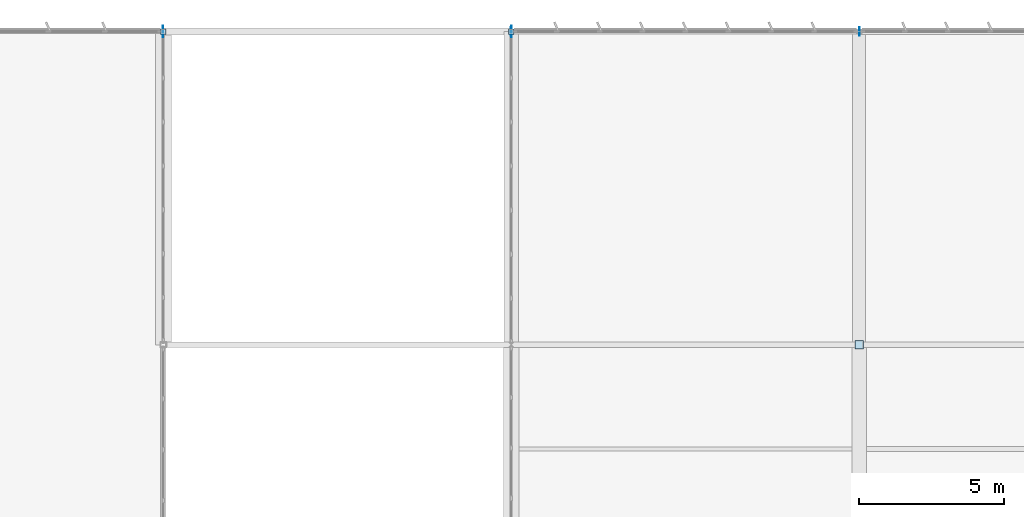
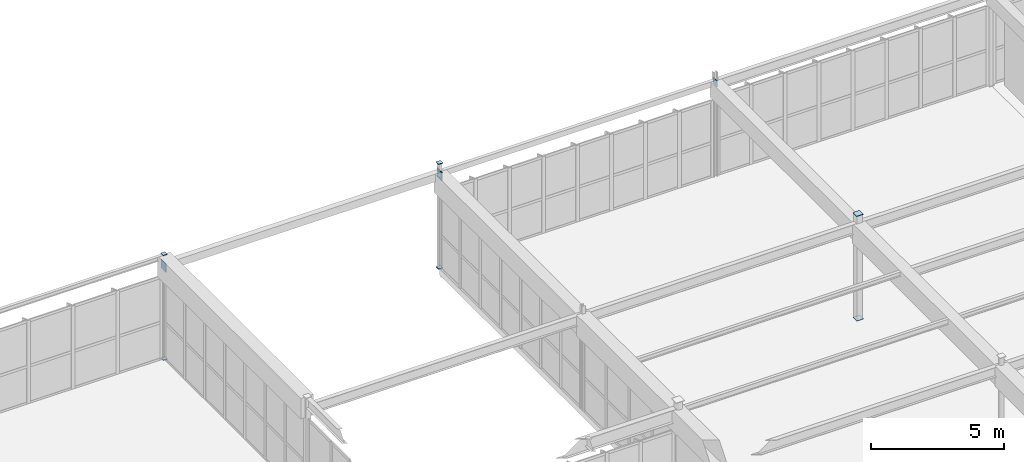
# One storey, part 151 of 186: 10 plates.
"""IFC4 building model written with IfcOpenShell, lengths in metres."""

import ifcopenshell
import ifcopenshell.guid

model = None  # the IFC model being written
_history = None  # IfcOwnerHistory: only IFC2X3 demands one
_inside = {}  # id of a spatial element -> (the spatial element, [elements in it])
_under = {}  # id of a project, library or spatial element -> (it, [spatial elements below it])
_declared = {}  # id of a project -> (the project, [libraries it declares])
_typed = {}  # id of a type object -> (the type object, [elements of that type])
_made_of = {}  # id of a material, layer set ... -> (it, [elements and type objects made of it])


def new_model(schema):
    """Start an empty IFC model of exactly this schema.

    Asked for "IFC4X3", IfcOpenShell would pick the latest addendum, in which some entities
    have other attributes; the version numbers below select the first issue.
    IFC2X3 requires an IfcOwnerHistory on every rooted entity: one is made here for all.
    """
    global model, _history
    if schema == "IFC4X3":
        model = ifcopenshell.file(schema_version=(4, 3, 0, 0))
    else:
        model = ifcopenshell.file(schema=schema)
    _inside.clear()
    _under.clear()
    _declared.clear()
    _typed.clear()
    _made_of.clear()
    _history = None
    if model.schema == "IFC2X3":
        org = make("IfcOrganization", Name="unknown")
        user = make(
            "IfcPersonAndOrganization",
            ThePerson=make("IfcPerson", FamilyName="unknown"),
            TheOrganization=org,
        )
        app = make(
            "IfcApplication",
            ApplicationDeveloper=org,
            Version="unknown",
            ApplicationFullName="unknown",
            ApplicationIdentifier="unknown",
        )
        _history = make(
            "IfcOwnerHistory",
            OwningUser=user,
            OwningApplication=app,
            ChangeAction="ADDED",
            CreationDate=0,
        )
    return model


def make(cls, **values):
    """One entity of the class cls with the attributes given. An attribute that is None is left unset."""
    return model.create_entity(
        cls, **{name: value for name, value in values.items() if value is not None}
    )


def rooted(cls, **values):
    """An entity with a GlobalId (a new one), such as an element, a storey or a relation."""
    return make(cls, GlobalId=ifcopenshell.guid.new(), OwnerHistory=_history, **values)


def si_unit(unit_type, name, prefix=None):
    """IfcSIUnit, for example si_unit("LENGTHUNIT", "METRE", prefix="MILLI")."""
    return make("IfcSIUnit", UnitType=unit_type, Prefix=prefix, Name=name)


def assignment(units):
    """IfcUnitAssignment: the units of a project."""
    return None if units is None else make("IfcUnitAssignment", Units=units)


def point(xyz):
    """IfcCartesianPoint."""
    return None if xyz is None else make("IfcCartesianPoint", Coordinates=xyz)


def direction(xyz):
    """IfcDirection."""
    return None if xyz is None else make("IfcDirection", DirectionRatios=xyz)


def frame(location, z_axis=None, x_axis=None):
    """IfcAxis2Placement3D, a coordinate frame: its origin and axes. An axis left out is left unset."""
    return make(
        "IfcAxis2Placement3D",
        Location=point(location),
        Axis=direction(z_axis),
        RefDirection=direction(x_axis),
    )


def frame_2d(location, x_axis=None):
    """IfcAxis2Placement2D, a coordinate frame in the plane: its origin and x axis."""
    return make(
        "IfcAxis2Placement2D", Location=point(location), RefDirection=direction(x_axis)
    )


def origin():
    """The frame at (0, 0, 0) with its axes left unset."""
    return frame((0.0, 0.0, 0.0))


def origin_2d():
    """The frame at (0, 0) in the plane with its x axis left unset."""
    return frame_2d((0.0, 0.0))


def place(relative_to, where):
    """IfcLocalPlacement: puts the frame where relative to a parent placement (None: the world)."""
    return make(
        "IfcLocalPlacement", PlacementRelTo=relative_to, RelativePlacement=where
    )


def context(
    kind, dimensions, precision=None, world=None, true_north=None, identifier=None
):
    """IfcGeometricRepresentationContext, for example the 3D "Model" context."""
    return make(
        "IfcGeometricRepresentationContext",
        ContextIdentifier=identifier,
        ContextType=kind,
        CoordinateSpaceDimension=dimensions,
        Precision=precision,
        WorldCoordinateSystem=world,
        TrueNorth=true_north,
    )


def subcontext(parent, identifier, kind, view, scale=None):
    """IfcGeometricRepresentationSubContext, for example "Body" below "Model"."""
    return make(
        "IfcGeometricRepresentationSubContext",
        ContextIdentifier=identifier,
        ContextType=kind,
        ParentContext=parent,
        TargetScale=scale,
        TargetView=view,
    )


def project(units=None, contexts=None):
    """IfcProject with its units and contexts."""
    return rooted(
        "IfcProject",
        Name="project",
        RepresentationContexts=contexts,
        UnitsInContext=assignment(units),
    )


def spatial(cls, under=None, at=None, **own):
    """A site, building, storey or space (cls), placed at a placement, below another one or the project."""
    s = rooted(cls, ObjectPlacement=at, **own)
    if under is not None:
        _under.setdefault(under.id(), (under, []))[1].append(s)
    return s


def profile(cls, at=None, kind="AREA", **sizes):
    """A parametric profile (cls). Its sizes go by their IFC names, for example OverallWidth=200.0."""
    return make(cls, ProfileType=kind, Position=at, **sizes)


def rectangle(**sizes):
    """IfcRectangleProfileDef."""
    return profile("IfcRectangleProfileDef", **sizes)


def extrude(swept, where, along, depth):
    """IfcExtrudedAreaSolid: the profile swept, set in the frame where, extruded along a direction by depth."""
    return make(
        "IfcExtrudedAreaSolid",
        SweptArea=swept,
        Position=where,
        ExtrudedDirection=direction(along),
        Depth=depth,
    )


def shape(context_of_items, identifier, shape_type, items):
    """IfcShapeRepresentation: the items that make up one representation, for example the "Body"."""
    return make(
        "IfcShapeRepresentation",
        ContextOfItems=context_of_items,
        RepresentationIdentifier=identifier,
        RepresentationType=shape_type,
        Items=items,
    )


def material(Name=None, Category=None):
    """IfcMaterial."""
    return make("IfcMaterial", Name=Name, Category=Category)


def layer(
    of_material, thickness, ventilated=None, Name=None, Category=None, Priority=None
):
    """IfcMaterialLayer: one layer of a wall or slab, of a material (None: an air gap)."""
    return make(
        "IfcMaterialLayer",
        Material=of_material,
        LayerThickness=thickness,
        IsVentilated=ventilated,
        Name=Name,
        Category=Category,
        Priority=Priority,
    )


def layer_set(layers, Name=None):
    """IfcMaterialLayerSet."""
    return make("IfcMaterialLayerSet", MaterialLayers=layers, LayerSetName=Name)


def made_of(thing, what):
    """Note that an element or type object is made of a material, layer set ...; save() writes the relation."""
    if what is not None:
        _made_of.setdefault(what.id(), (what, []))[1].append(thing)
    return thing


def type_object(cls, material=None, **own):
    """A type object (cls), such as IfcWallType, which elements share."""
    return made_of(rooted(cls, **own), material)


def element(
    cls,
    number,
    at=None,
    inside=None,
    cuts=None,
    type_object=None,
    material=None,
    context=None,
    identifier="Body",
    shape_type=None,
    held_by="IfcProductDefinitionShape",
    body=None,
    shapes=None,
    **own,
):
    """One element of the class cls, such as IfcWall. Its Tag is "e" and its number.

    at: its placement. inside: the storey or other place that contains it. cuts: it is an
    opening in that element (IfcRelVoidsElement). A single representation is given by context,
    identifier, shape_type and body (its items); several are given by shapes. held_by: the class
    of the entity that holds the representations. save() writes the other relations.
    """
    e = rooted(cls, Tag="e%d" % number, ObjectPlacement=at, **own)
    if body is not None:
        shapes = [shape(context, identifier, shape_type, body)]
    if shapes is not None:
        e.Representation = make(held_by, Representations=shapes)
    if inside is not None:
        _inside.setdefault(inside.id(), (inside, []))[1].append(e)
    if cuts is not None:
        rooted(
            "IfcRelVoidsElement", RelatingBuildingElement=cuts, RelatedOpeningElement=e
        )
    if type_object is not None:
        _typed.setdefault(type_object.id(), (type_object, []))[1].append(e)
    return made_of(e, material)


def aggregate(whole, parts):
    """IfcRelAggregates: a whole, such as a stair, and the parts it consists of."""
    return rooted("IfcRelAggregates", RelatingObject=whole, RelatedObjects=parts)


def save(model, path):
    """Write the relations noted so far, then the file.

    IfcRelAggregates (storeys below a building ...), IfcRelContainedInSpatialStructure (elements
    in a storey), IfcRelDefinesByType, IfcRelAssociatesMaterial and IfcRelDeclares: one each for
    every whole, place, type object, material and project.
    """
    for whole, parts in _under.values():
        aggregate(whole, parts)
    for where, things in _inside.values():
        rooted(
            "IfcRelContainedInSpatialStructure",
            RelatedElements=things,
            RelatingStructure=where,
        )
    for kind, things in _typed.values():
        rooted("IfcRelDefinesByType", RelatedObjects=things, RelatingType=kind)
    for what, things in _made_of.values():
        rooted("IfcRelAssociatesMaterial", RelatedObjects=things, RelatingMaterial=what)
    for by, libraries in _declared.values():
        rooted("IfcRelDeclares", RelatingContext=by, RelatedDefinitions=libraries)
    model.write(path)


model = new_model("IFC4")

# Units and contexts
model_context = context("Model", 3, precision=1e-05, world=origin(), true_north=direction((0.0, 1.0)))
body_context = subcontext(model_context, "Body", "Model", "MODEL_VIEW")
ifc_project = project(units=[si_unit("LENGTHUNIT", "METRE"), si_unit("AREAUNIT", "SQUARE_METRE"), si_unit("VOLUMEUNIT", "CUBIC_METRE"), si_unit("PLANEANGLEUNIT", "RADIAN"), si_unit("MASSUNIT", "GRAM", prefix="KILO")], contexts=[model_context])

# Site, building, storey
site_placement = place(None, origin())
site = spatial("IfcSite", under=ifc_project, at=site_placement, CompositionType="ELEMENT")
building_placement = place(site_placement, origin())
building = spatial("IfcBuilding", under=site, at=building_placement, Name="Tarnwether General Hospital", CompositionType="ELEMENT")
storey_placement = place(building_placement, frame((0.0, 0.0, 9.60009765625)))
storey = spatial("IfcBuildingStorey", under=building, at=storey_placement, Name="L02", CompositionType="ELEMENT", Elevation=9.60009765625)

# Plates
ifc_material = material(Name="Steel Grade 350 (350 MPa)", Category="steel")
ifc_layer = layer(ifc_material, 0.02490234375)
ifc_layer_set = layer_set([ifc_layer], Name="Steel Grade 350 (350 MPa)")
plate_type = type_object("IfcPlateType", Name="PT-GUS2", PredefinedType="USERDEFINED", material=ifc_layer_set)
for number, where, z_axis, x_axis, name in (
    (1, (132.0, 126.0, -0.025146484375), (0.0, 0.0, 1.0), (1.0, 0.0, 0.0), "Hollow Section Welded End Cap Plate 0263"),
    (2, (132.0, 126.0, 4.800048828125), (0.0, 0.0, 1.0), (1.0, 0.0, 0.0), "Hollow Section Welded End Cap Plate 0264"),
    (3, (144.0, 126.0, -0.025146484375), (0.0, 0.0, 1.0), (1.0, 0.0, 0.0), "Hollow Section Welded End Cap Plate 0309"),
    (4, (144.0, 126.0, 4.800048828125), (0.0, 0.0, 1.0), (1.0, 0.0, 0.0), "Hollow Section Welded End Cap Plate 0310"),
):
    element("IfcPlate", number, at=place(storey_placement, frame(where, z_axis=z_axis, x_axis=x_axis)), inside=storey, type_object=plate_type, Name=name, ObjectType="GUSSET", PredefinedType="USERDEFINED", context=body_context, shape_type="SweptSolid", body=[
        extrude(rectangle(XDim=0.18994140625, YDim=0.18994140625, at=origin_2d()), origin(), (0.0, 0.0, 1.0), 0.02490234375),
    ])
for number, where, z_axis, x_axis, name in (
    (5, (156.0, 115.199951171875, -0.025146484375), (0.0, 0.0, 1.0), (1.0, 0.0, 0.0), "Hollow Section Welded End Cap Plate 0353"),
    (6, (156.0, 115.199951171875, 4.800048828125), (0.0, 0.0, 1.0), (1.0, 0.0, 0.0), "Hollow Section Welded End Cap Plate 0354"),
):
    element("IfcPlate", number, at=place(storey_placement, frame(where, z_axis=z_axis, x_axis=x_axis)), inside=storey, type_object=plate_type, Name=name, ObjectType="GUSSET", PredefinedType="USERDEFINED", context=body_context, shape_type="SweptSolid", body=[
        extrude(rectangle(XDim=0.2900390625, YDim=0.2900390625, at=origin_2d()), origin(), (0.0, 0.0, 1.0), 0.02490234375),
    ])
for number, where, z_axis, x_axis, name in (
    (7, (131.987548828125, 126.0, 4.0751953125), (0.0, 0.0, 1.0), (1.0, 0.0, 0.0), "Hollow Section Welded End Cap Plate 0965"),
    (8, (144.012451171875, 126.0, 4.0751953125), (0.0, 0.0, 1.0), (1.0, 0.0, 0.0), "Hollow Section Welded End Cap Plate 0966"),
):
    element("IfcPlate", number, at=place(storey_placement, frame(where, z_axis=z_axis, x_axis=x_axis)), inside=storey, type_object=plate_type, Name=name, ObjectType="GUSSET", PredefinedType="USERDEFINED", context=body_context, shape_type="SweptSolid", body=[
        extrude(rectangle(XDim=0.02490234375, YDim=0.389892578125, at=origin_2d()), origin(), (0.0, 0.0, 1.0), 0.389892578125),
    ])
for number, where, z_axis, x_axis, name in (
    (9, (143.987548828125, 126.0, 4.1748046875), (0.0, 0.0, 1.0), (1.0, 0.0, 0.0), "Hollow Section Welded End Cap Plate 0967"),
    (10, (156.012451171875, 126.0, 4.1748046875), (0.0, 0.0, 1.0), (1.0, 0.0, 0.0), "Hollow Section Welded End Cap Plate 0968"),
):
    element("IfcPlate", number, at=place(storey_placement, frame(where, z_axis=z_axis, x_axis=x_axis)), inside=storey, type_object=plate_type, Name=name, ObjectType="GUSSET", PredefinedType="USERDEFINED", context=body_context, shape_type="SweptSolid", body=[
        extrude(rectangle(XDim=0.02490234375, YDim=0.2900390625, at=origin_2d()), origin(), (0.0, 0.0, 1.0), 0.2900390625),
    ])

save(model, "model.ifc")
